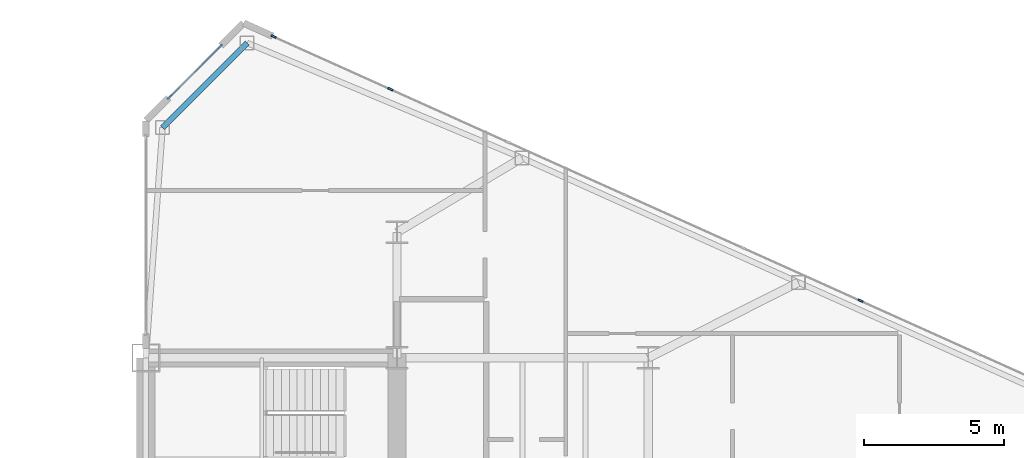
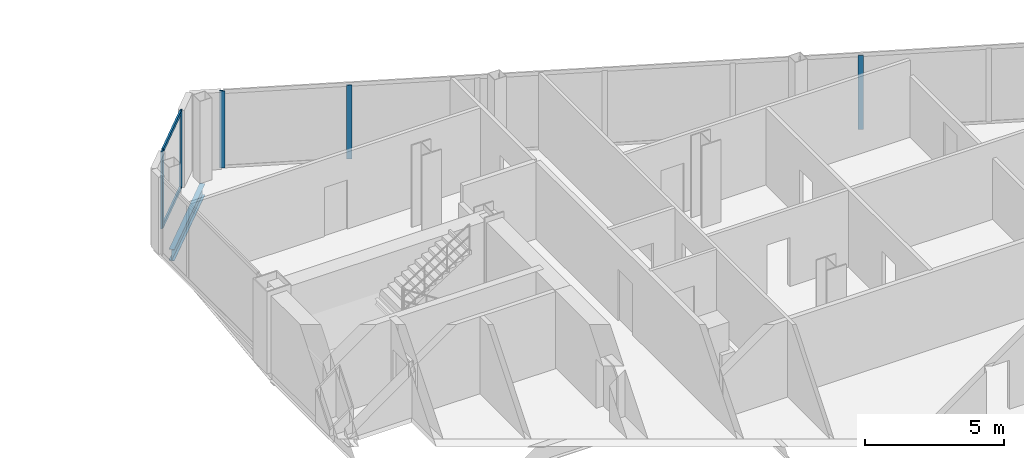
# One storey, part 15 of 27: 7 members, 1 beam, 2 elements without a shape of their own.
"""IFC4 building model written with IfcOpenShell, lengths in metres."""

from ifc_helpers import new_model, si_unit, direction, frame, origin, origin_2d, place, context, subcontext, project, spatial, rectangle, i_section, extrude, source, transform, mapped, material, layer, layer_set, material_profile, profile_set, type_object, type_shapes, element, aggregate, save


model = new_model("IFC4")

# Units and contexts
model_context = context("Model", 3, precision=1e-05, world=origin(), true_north=direction((0.0, 1.0)))
body_context = subcontext(model_context, "Body", "Model", "MODEL_VIEW")
ifc_project = project(units=[si_unit("LENGTHUNIT", "METRE"), si_unit("AREAUNIT", "SQUARE_METRE"), si_unit("VOLUMEUNIT", "CUBIC_METRE"), si_unit("PLANEANGLEUNIT", "RADIAN"), si_unit("MASSUNIT", "GRAM", prefix="KILO")], contexts=[model_context])

# Site, building, storey
site_placement = place(None, origin())
site = spatial("IfcSite", under=ifc_project, at=site_placement, CompositionType="ELEMENT")
building_placement = place(site_placement, origin())
building = spatial("IfcBuilding", under=site, at=building_placement, Name="Seokmaru Belvedere", CompositionType="ELEMENT")
storey_placement = place(building_placement, frame((0.0, 0.0, 65.699951171875)))
storey = spatial("IfcBuildingStorey", under=building, at=storey_placement, Name="L17", CompositionType="ELEMENT", Elevation=65.699951171875)

# Beam
ifc_material_1 = material(Name="Steel SM355 (355 MPa)", Category="steel")
ifc_material_profile_1 = material_profile(ifc_material_1, i_section(OverallWidth=0.199951171875, OverallDepth=0.5, WebThickness=0.010009765625, FlangeThickness=0.01611328125, at=origin_2d()), Name="H-500x200x10x16")
ifc_profile_set_1 = profile_set([ifc_material_profile_1], Name="Steel SM355 (355 MPa)")
beam_type = type_object("IfcBeamType", Name="Perimeter Spandrel Beam H-500", PredefinedType="SPANDREL", material=ifc_profile_set_1)
shared_shape_1 = source(origin(), body_context, "Body", "SweptSolid", [
    extrude(i_section(OverallWidth=0.199951171875, OverallDepth=0.5, WebThickness=0.010009765625, FlangeThickness=0.01611328125, at=origin_2d()), origin(), (0.0, 0.0, 1.0), 4.287109375),
])
type_shapes(beam_type, [shared_shape_1])
beam_placement = place(storey_placement, frame((31.13134765625, 24.782958984375, -0.469970703125), z_axis=(-0.707078306132, -0.707135255094, 0.0), x_axis=(0.707135255094, -0.707078306132, 0.0)))
element("IfcBeam", 1, at=beam_placement, inside=storey, type_object=beam_type, Name="L17 E Shoulder Chamfer Spandrel N", PredefinedType="SPANDREL", context=body_context, shape_type="MappedRepresentation", body=[
    mapped(shared_shape_1, transform((0.0, 0.0, 0.0), scale=1.0)),
])

# Curtain wall, members
ifc_material_2 = material(Name="Bronze Triple Insulating Glass", Category="glass")
ifc_layer = layer(ifc_material_2, 0.195068359375)
ifc_layer_set = layer_set([ifc_layer], Name="Bronze Triple Insulating Glass")
curtain_wall_type = type_object("IfcCurtainWallType", Name="Lower-Mid Tapered Curtain Wall System CW-3", PredefinedType="NOTDEFINED", material=ifc_layer_set)
curtain_wall_1_placement = place(storey_placement, origin())
curtain_wall_1 = element("IfcCurtainWall", 2, at=curtain_wall_1_placement, inside=storey, type_object=curtain_wall_type, Name="L17 Curtain Wall EF4", PredefinedType="NOTDEFINED")
ifc_material_3 = material(Name="Anodised Bronze Aluminium", Category="aluminium")
ifc_material_profile_2 = material_profile(ifc_material_3, rectangle(XDim=0.070068359375, YDim=0.1650390625, at=origin_2d()), Name="CW-T-70x165")
ifc_profile_set_2 = profile_set([ifc_material_profile_2], Name="Anodised Bronze Aluminium")
member_type_1 = type_object("IfcMemberType", Name="Bronze Unitised Transom 70x165", PredefinedType="USERDEFINED", material=ifc_profile_set_2)
shared_shape_2 = source(origin(), body_context, "Body", "SweptSolid", [
    extrude(rectangle(XDim=0.070068359375, YDim=0.1650390625, at=origin_2d()), origin(), (0.0, 0.0, 1.0), 2.509521484375),
])
type_shapes(member_type_1, [shared_shape_2])
member_1_placement = place(storey_placement, frame((30.13720703125, 24.63720703125, 0.03515625), z_axis=(-0.707106781187, -0.707106781187, 0.0), x_axis=(0.707106781187, -0.707106781187, 0.0)))
member_1 = element("IfcMember", 3, at=member_1_placement, type_object=member_type_1, Name="CW:L17:EF4 Continuous Transom 1", ObjectType="TRANSOM", PredefinedType="USERDEFINED", context=body_context, shape_type="MappedRepresentation", body=[
    mapped(shared_shape_2, transform((0.0, 0.0, 0.0), scale=1.0)),
])
member_2_placement = place(storey_placement, frame((30.13720703125, 24.63720703125, 3.344970703125), z_axis=(-0.707106781187, -0.707106781187, 0.0), x_axis=(0.707106781187, -0.707106781187, 0.0)))
member_2 = element("IfcMember", 4, at=member_2_placement, type_object=member_type_1, Name="CW:L17:EF4 Continuous Transom 2", ObjectType="TRANSOM", PredefinedType="USERDEFINED", context=body_context, shape_type="MappedRepresentation", body=[
    mapped(shared_shape_2, transform((0.0, 0.0, 0.0), scale=1.0)),
])

curtain_wall_2_placement = place(storey_placement, origin())
curtain_wall_2 = element("IfcCurtainWall", 5, at=curtain_wall_2_placement, inside=storey, type_object=curtain_wall_type, Name="L17 Curtain Wall EF3", PredefinedType="NOTDEFINED")
ifc_material_profile_3 = material_profile(ifc_material_3, rectangle(XDim=0.070068359375, YDim=0.195068359375, at=origin_2d()), Name="CW-M-70x195")
ifc_profile_set_3 = profile_set([ifc_material_profile_3], Name="Anodised Bronze Aluminium")
member_type_2 = type_object("IfcMemberType", Name="Bronze Unitised Mullion 70x195", PredefinedType="MULLION", material=ifc_profile_set_3)
shared_shape_3 = source(origin(), body_context, "Body", "SweptSolid", [
    extrude(rectangle(XDim=0.070068359375, YDim=0.195068359375, at=origin_2d()), origin(), (0.0, 0.0, 1.0), 3.239990234375),
])
member_3_placement = place(storey_placement, frame((53.105712890625, 15.552490234375, 0.070068359375), z_axis=(0.0, 0.0, 1.0), x_axis=(-0.41036554765, -0.91192111353, 0.0)))
member_3 = element("IfcMember", 6, at=member_3_placement, type_object=member_type_2, Name="CW:L17:EF3 Mullion 5", PredefinedType="MULLION", context=body_context, shape_type="MappedRepresentation", body=[
    mapped(shared_shape_3, transform((0.0, 0.0, 0.0), scale=1.0)),
])
member_4_placement = place(storey_placement, frame((36.260009765625, 23.133056640625, 0.070068359375), z_axis=(0.0, 0.0, 1.0), x_axis=(-0.41036554765, -0.91192111353, 0.0)))
member_4 = element("IfcMember", 7, at=member_4_placement, type_object=member_type_2, Name="CW:L17:EF3 Mullion 9", PredefinedType="MULLION", context=body_context, shape_type="MappedRepresentation", body=[
    mapped(shared_shape_3, transform((0.0, 0.0, 0.0), scale=1.0)),
])
shared_shape_4 = source(origin(), body_context, "Body", "SweptSolid", [
    extrude(rectangle(XDim=0.070068359375, YDim=0.195068359375, at=origin_2d()), origin(), (0.0, 0.0, 1.0), 3.380126953125),
])
type_shapes(member_type_2, [shared_shape_3, shared_shape_4])
member_5_placement = place(storey_placement, frame((32.08056640625, 25.013671875, 0.0), z_axis=(0.0, 0.0, 1.0), x_axis=(-0.41036554765, -0.91192111353, 0.0)))
member_5 = element("IfcMember", 8, at=member_5_placement, type_object=member_type_2, Name="CW:L17:EF3 Mullion 10", PredefinedType="MULLION", context=body_context, shape_type="MappedRepresentation", body=[
    mapped(shared_shape_4, transform((0.0, 0.0, 0.0), scale=1.0)),
])
aggregate(curtain_wall_2, [member_3, member_4, member_5])

# Member
member_6_placement = place(storey_placement, frame((30.162109375, 24.662109375, 0.0), z_axis=(0.0, 0.0, 1.0), x_axis=(0.707106781187, -0.707106781187, 0.0)))
member_6 = element("IfcMember", 9, at=member_6_placement, type_object=member_type_2, Name="CW:L17:EF4 Mullion 1", PredefinedType="MULLION", context=body_context, shape_type="MappedRepresentation", body=[
    mapped(shared_shape_4, transform((0.0, 0.0, 0.0), scale=1.0)),
])

member_7_placement = place(storey_placement, frame((28.337890625, 22.837890625, 0.0), z_axis=(0.0, 0.0, 1.0), x_axis=(0.707106781187, -0.707106781187, 0.0)))
member_7 = element("IfcMember", 10, at=member_7_placement, type_object=member_type_2, Name="CW:L17:EF4 Mullion 2", PredefinedType="MULLION", context=body_context, shape_type="MappedRepresentation", body=[
    mapped(shared_shape_4, transform((0.0, 0.0, 0.0), scale=1.0)),
])

aggregate(curtain_wall_1, [member_6, member_7, member_1, member_2])

save(model, "model.ifc")
